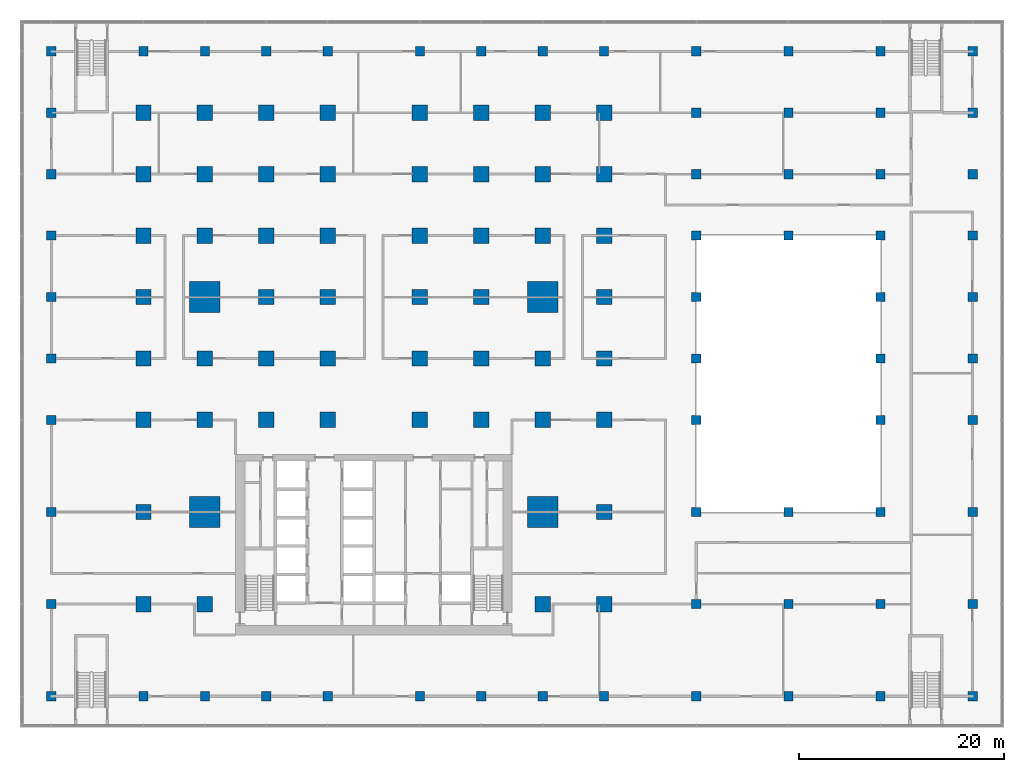
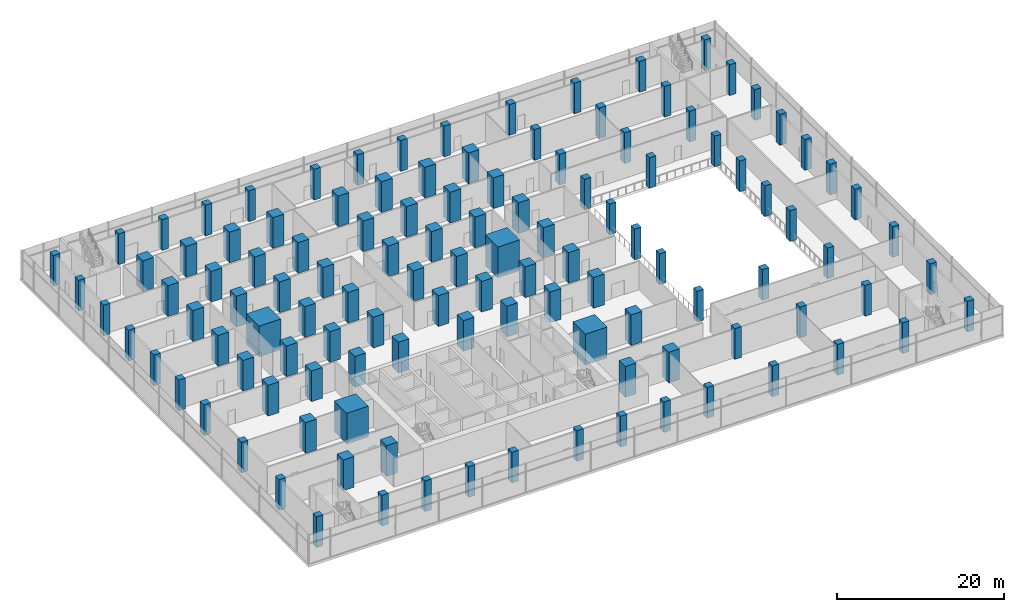
# One storey, part 1 of 22: 119 columns.
"""IFC4 building model written with IfcOpenShell, lengths in metres."""

import ifcopenshell
import ifcopenshell.guid

model = None  # the IFC model being written
_history = None  # IfcOwnerHistory: only IFC2X3 demands one
_inside = {}  # id of a spatial element -> (the spatial element, [elements in it])
_under = {}  # id of a project, library or spatial element -> (it, [spatial elements below it])
_declared = {}  # id of a project -> (the project, [libraries it declares])
_typed = {}  # id of a type object -> (the type object, [elements of that type])
_made_of = {}  # id of a material, layer set ... -> (it, [elements and type objects made of it])


def new_model(schema):
    """Start an empty IFC model of exactly this schema.

    Asked for "IFC4X3", IfcOpenShell would pick the latest addendum, in which some entities
    have other attributes; the version numbers below select the first issue.
    IFC2X3 requires an IfcOwnerHistory on every rooted entity: one is made here for all.
    """
    global model, _history
    if schema == "IFC4X3":
        model = ifcopenshell.file(schema_version=(4, 3, 0, 0))
    else:
        model = ifcopenshell.file(schema=schema)
    _inside.clear()
    _under.clear()
    _declared.clear()
    _typed.clear()
    _made_of.clear()
    _history = None
    if model.schema == "IFC2X3":
        org = make("IfcOrganization", Name="unknown")
        user = make(
            "IfcPersonAndOrganization",
            ThePerson=make("IfcPerson", FamilyName="unknown"),
            TheOrganization=org,
        )
        app = make(
            "IfcApplication",
            ApplicationDeveloper=org,
            Version="unknown",
            ApplicationFullName="unknown",
            ApplicationIdentifier="unknown",
        )
        _history = make(
            "IfcOwnerHistory",
            OwningUser=user,
            OwningApplication=app,
            ChangeAction="ADDED",
            CreationDate=0,
        )
    return model


def make(cls, **values):
    """One entity of the class cls with the attributes given. An attribute that is None is left unset."""
    return model.create_entity(
        cls, **{name: value for name, value in values.items() if value is not None}
    )


def rooted(cls, **values):
    """An entity with a GlobalId (a new one), such as an element, a storey or a relation."""
    return make(cls, GlobalId=ifcopenshell.guid.new(), OwnerHistory=_history, **values)


def si_unit(unit_type, name, prefix=None):
    """IfcSIUnit, for example si_unit("LENGTHUNIT", "METRE", prefix="MILLI")."""
    return make("IfcSIUnit", UnitType=unit_type, Prefix=prefix, Name=name)


def assignment(units):
    """IfcUnitAssignment: the units of a project."""
    return None if units is None else make("IfcUnitAssignment", Units=units)


def point(xyz):
    """IfcCartesianPoint."""
    return None if xyz is None else make("IfcCartesianPoint", Coordinates=xyz)


def direction(xyz):
    """IfcDirection."""
    return None if xyz is None else make("IfcDirection", DirectionRatios=xyz)


def frame(location, z_axis=None, x_axis=None):
    """IfcAxis2Placement3D, a coordinate frame: its origin and axes. An axis left out is left unset."""
    return make(
        "IfcAxis2Placement3D",
        Location=point(location),
        Axis=direction(z_axis),
        RefDirection=direction(x_axis),
    )


def frame_2d(location, x_axis=None):
    """IfcAxis2Placement2D, a coordinate frame in the plane: its origin and x axis."""
    return make(
        "IfcAxis2Placement2D", Location=point(location), RefDirection=direction(x_axis)
    )


def origin():
    """The frame at (0, 0, 0) with its axes left unset."""
    return frame((0.0, 0.0, 0.0))


def origin_2d():
    """The frame at (0, 0) in the plane with its x axis left unset."""
    return frame_2d((0.0, 0.0))


def place(relative_to, where):
    """IfcLocalPlacement: puts the frame where relative to a parent placement (None: the world)."""
    return make(
        "IfcLocalPlacement", PlacementRelTo=relative_to, RelativePlacement=where
    )


def context(
    kind, dimensions, precision=None, world=None, true_north=None, identifier=None
):
    """IfcGeometricRepresentationContext, for example the 3D "Model" context."""
    return make(
        "IfcGeometricRepresentationContext",
        ContextIdentifier=identifier,
        ContextType=kind,
        CoordinateSpaceDimension=dimensions,
        Precision=precision,
        WorldCoordinateSystem=world,
        TrueNorth=true_north,
    )


def subcontext(parent, identifier, kind, view, scale=None):
    """IfcGeometricRepresentationSubContext, for example "Body" below "Model"."""
    return make(
        "IfcGeometricRepresentationSubContext",
        ContextIdentifier=identifier,
        ContextType=kind,
        ParentContext=parent,
        TargetScale=scale,
        TargetView=view,
    )


def project(units=None, contexts=None):
    """IfcProject with its units and contexts."""
    return rooted(
        "IfcProject",
        Name="project",
        RepresentationContexts=contexts,
        UnitsInContext=assignment(units),
    )


def spatial(cls, under=None, at=None, **own):
    """A site, building, storey or space (cls), placed at a placement, below another one or the project."""
    s = rooted(cls, ObjectPlacement=at, **own)
    if under is not None:
        _under.setdefault(under.id(), (under, []))[1].append(s)
    return s


def profile(cls, at=None, kind="AREA", **sizes):
    """A parametric profile (cls). Its sizes go by their IFC names, for example OverallWidth=200.0."""
    return make(cls, ProfileType=kind, Position=at, **sizes)


def rectangle(**sizes):
    """IfcRectangleProfileDef."""
    return profile("IfcRectangleProfileDef", **sizes)


def extrude(swept, where, along, depth):
    """IfcExtrudedAreaSolid: the profile swept, set in the frame where, extruded along a direction by depth."""
    return make(
        "IfcExtrudedAreaSolid",
        SweptArea=swept,
        Position=where,
        ExtrudedDirection=direction(along),
        Depth=depth,
    )


def shape(context_of_items, identifier, shape_type, items):
    """IfcShapeRepresentation: the items that make up one representation, for example the "Body"."""
    return make(
        "IfcShapeRepresentation",
        ContextOfItems=context_of_items,
        RepresentationIdentifier=identifier,
        RepresentationType=shape_type,
        Items=items,
    )


def material(Name=None, Category=None):
    """IfcMaterial."""
    return make("IfcMaterial", Name=Name, Category=Category)


def material_profile(
    of_material, cross_section, Name=None, Category=None, Priority=None
):
    """IfcMaterialProfile: a cross section and its material."""
    return make(
        "IfcMaterialProfile",
        Name=Name,
        Material=of_material,
        Profile=cross_section,
        Priority=Priority,
        Category=Category,
    )


def profile_set(profiles, Name=None, composite=None):
    """IfcMaterialProfileSet."""
    return make(
        "IfcMaterialProfileSet",
        Name=Name,
        MaterialProfiles=profiles,
        CompositeProfile=composite,
    )


def made_of(thing, what):
    """Note that an element or type object is made of a material, layer set ...; save() writes the relation."""
    if what is not None:
        _made_of.setdefault(what.id(), (what, []))[1].append(thing)
    return thing


def type_object(cls, material=None, **own):
    """A type object (cls), such as IfcWallType, which elements share."""
    return made_of(rooted(cls, **own), material)


def element(
    cls,
    number,
    at=None,
    inside=None,
    cuts=None,
    type_object=None,
    material=None,
    context=None,
    identifier="Body",
    shape_type=None,
    held_by="IfcProductDefinitionShape",
    body=None,
    shapes=None,
    **own,
):
    """One element of the class cls, such as IfcWall. Its Tag is "e" and its number.

    at: its placement. inside: the storey or other place that contains it. cuts: it is an
    opening in that element (IfcRelVoidsElement). A single representation is given by context,
    identifier, shape_type and body (its items); several are given by shapes. held_by: the class
    of the entity that holds the representations. save() writes the other relations.
    """
    e = rooted(cls, Tag="e%d" % number, ObjectPlacement=at, **own)
    if body is not None:
        shapes = [shape(context, identifier, shape_type, body)]
    if shapes is not None:
        e.Representation = make(held_by, Representations=shapes)
    if inside is not None:
        _inside.setdefault(inside.id(), (inside, []))[1].append(e)
    if cuts is not None:
        rooted(
            "IfcRelVoidsElement", RelatingBuildingElement=cuts, RelatedOpeningElement=e
        )
    if type_object is not None:
        _typed.setdefault(type_object.id(), (type_object, []))[1].append(e)
    return made_of(e, material)


def aggregate(whole, parts):
    """IfcRelAggregates: a whole, such as a stair, and the parts it consists of."""
    return rooted("IfcRelAggregates", RelatingObject=whole, RelatedObjects=parts)


def save(model, path):
    """Write the relations noted so far, then the file.

    IfcRelAggregates (storeys below a building ...), IfcRelContainedInSpatialStructure (elements
    in a storey), IfcRelDefinesByType, IfcRelAssociatesMaterial and IfcRelDeclares: one each for
    every whole, place, type object, material and project.
    """
    for whole, parts in _under.values():
        aggregate(whole, parts)
    for where, things in _inside.values():
        rooted(
            "IfcRelContainedInSpatialStructure",
            RelatedElements=things,
            RelatingStructure=where,
        )
    for kind, things in _typed.values():
        rooted("IfcRelDefinesByType", RelatedObjects=things, RelatingType=kind)
    for what, things in _made_of.values():
        rooted("IfcRelAssociatesMaterial", RelatedObjects=things, RelatingMaterial=what)
    for by, libraries in _declared.values():
        rooted("IfcRelDeclares", RelatingContext=by, RelatedDefinitions=libraries)
    model.write(path)


model = new_model("IFC4")

# Units and contexts
model_context = context("Model", 3, precision=1e-05, world=origin(), true_north=direction((0.0, 1.0)))
body_context = subcontext(model_context, "Body", "Model", "MODEL_VIEW")
ifc_project = project(units=[si_unit("LENGTHUNIT", "METRE"), si_unit("AREAUNIT", "SQUARE_METRE"), si_unit("VOLUMEUNIT", "CUBIC_METRE"), si_unit("PLANEANGLEUNIT", "RADIAN"), si_unit("MASSUNIT", "GRAM", prefix="KILO")], contexts=[model_context])

# Site, building, storey
site_placement = place(None, origin())
site = spatial("IfcSite", under=ifc_project, at=site_placement, CompositionType="ELEMENT")
building_placement = place(site_placement, origin())
building = spatial("IfcBuilding", under=site, at=building_placement, Name="Finial Court Residences", CompositionType="ELEMENT")
storey_placement = place(building_placement, frame((0.0, 0.0, 23.5)))
storey = spatial("IfcBuildingStorey", under=building, at=storey_placement, Name="L04", CompositionType="ELEMENT", Elevation=23.5)

# Columns
ifc_material_1 = material(Name="Concrete C80/95", Category="concrete")
ifc_material_profile_1 = material_profile(ifc_material_1, rectangle(XDim=1.5, YDim=1.5, at=origin_2d()), Name="1500x1500")
ifc_profile_set_1 = profile_set([ifc_material_profile_1], Name="Concrete C80/95")
column_type_1 = type_object("IfcColumnType", Name="Interior column 1500x1500 Concrete C80/95", PredefinedType="COLUMN", material=ifc_profile_set_1)
for number, where, z_axis, x_axis, name in (
    (1, (-22.5, -22.5, 0.0), (0.0, 0.0, 1.0), (1.0, 0.0, 0.0), "S:COL:L04:B2"),
    (2, (-22.5, -13.5, 0.0), (0.0, 0.0, 1.0), (1.0, 0.0, 0.0), "S:COL:L04:B3"),
    (3, (-22.5, -4.5, 0.0), (0.0, 0.0, 1.0), (1.0, 0.0, 0.0), "S:COL:L04:B4"),
    (4, (-22.5, 1.5, 0.0), (0.0, 0.0, 1.0), (1.0, 0.0, 0.0), "S:COL:L04:B5"),
    (5, (-22.5, 7.5, 0.0), (0.0, 0.0, 1.0), (1.0, 0.0, 0.0), "S:COL:L04:B6"),
    (6, (-22.5, 13.5, 0.0), (0.0, 0.0, 1.0), (1.0, 0.0, 0.0), "S:COL:L04:B7"),
    (7, (-22.5, 19.5, 0.0), (0.0, 0.0, 1.0), (1.0, 0.0, 0.0), "S:COL:L04:B8"),
    (8, (-22.5, 25.5, 0.0), (0.0, 0.0, 1.0), (1.0, 0.0, 0.0), "S:COL:L04:B9"),
    (9, (-16.5, -22.5, 0.0), (0.0, 0.0, 1.0), (1.0, 0.0, 0.0), "S:COL:L04:C2"),
    (10, (-16.5, -4.5, 0.0), (0.0, 0.0, 1.0), (1.0, 0.0, 0.0), "S:COL:L04:C4"),
    (11, (-16.5, 1.5, 0.0), (0.0, 0.0, 1.0), (1.0, 0.0, 0.0), "S:COL:L04:C5"),
    (12, (-16.5, 13.5, 0.0), (0.0, 0.0, 1.0), (1.0, 0.0, 0.0), "S:COL:L04:C7"),
    (13, (-16.5, 19.5, 0.0), (0.0, 0.0, 1.0), (1.0, 0.0, 0.0), "S:COL:L04:C8"),
    (14, (-16.5, 25.5, 0.0), (0.0, 0.0, 1.0), (1.0, 0.0, 0.0), "S:COL:L04:C9"),
    (15, (-10.5, -4.5, 0.0), (0.0, 0.0, 1.0), (1.0, 0.0, 0.0), "S:COL:L04:D4"),
    (16, (-10.5, 1.5, 0.0), (0.0, 0.0, 1.0), (1.0, 0.0, 0.0), "S:COL:L04:D5"),
    (17, (-10.5, 7.5, 0.0), (0.0, 0.0, 1.0), (1.0, 0.0, 0.0), "S:COL:L04:D6"),
    (18, (-10.5, 13.5, 0.0), (0.0, 0.0, 1.0), (1.0, 0.0, 0.0), "S:COL:L04:D7"),
    (19, (-10.5, 19.5, 0.0), (0.0, 0.0, 1.0), (1.0, 0.0, 0.0), "S:COL:L04:D8"),
    (20, (-10.5, 25.5, 0.0), (0.0, 0.0, 1.0), (1.0, 0.0, 0.0), "S:COL:L04:D9"),
    (21, (-4.5, -4.5, 0.0), (0.0, 0.0, 1.0), (1.0, 0.0, 0.0), "S:COL:L04:E4"),
    (22, (-4.5, 1.5, 0.0), (0.0, 0.0, 1.0), (1.0, 0.0, 0.0), "S:COL:L04:E5"),
    (23, (-4.5, 7.5, 0.0), (0.0, 0.0, 1.0), (1.0, 0.0, 0.0), "S:COL:L04:E6"),
    (24, (-4.5, 13.5, 0.0), (0.0, 0.0, 1.0), (1.0, 0.0, 0.0), "S:COL:L04:E7"),
    (25, (-4.5, 19.5, 0.0), (0.0, 0.0, 1.0), (1.0, 0.0, 0.0), "S:COL:L04:E8"),
    (26, (-4.5, 25.5, 0.0), (0.0, 0.0, 1.0), (1.0, 0.0, 0.0), "S:COL:L04:E9"),
    (27, (4.5, -4.5, 0.0), (0.0, 0.0, 1.0), (1.0, 0.0, 0.0), "S:COL:L04:F4"),
    (28, (4.5, 1.5, 0.0), (0.0, 0.0, 1.0), (1.0, 0.0, 0.0), "S:COL:L04:F5"),
    (29, (4.5, 7.5, 0.0), (0.0, 0.0, 1.0), (1.0, 0.0, 0.0), "S:COL:L04:F6"),
    (30, (4.5, 13.5, 0.0), (0.0, 0.0, 1.0), (1.0, 0.0, 0.0), "S:COL:L04:F7"),
    (31, (4.5, 19.5, 0.0), (0.0, 0.0, 1.0), (1.0, 0.0, 0.0), "S:COL:L04:F8"),
    (32, (4.5, 25.5, 0.0), (0.0, 0.0, 1.0), (1.0, 0.0, 0.0), "S:COL:L04:F9"),
    (33, (10.5, -4.5, 0.0), (0.0, 0.0, 1.0), (1.0, 0.0, 0.0), "S:COL:L04:G4"),
    (34, (10.5, 1.5, 0.0), (0.0, 0.0, 1.0), (1.0, 0.0, 0.0), "S:COL:L04:G5"),
    (35, (10.5, 7.5, 0.0), (0.0, 0.0, 1.0), (1.0, 0.0, 0.0), "S:COL:L04:G6"),
    (36, (10.5, 13.5, 0.0), (0.0, 0.0, 1.0), (1.0, 0.0, 0.0), "S:COL:L04:G7"),
    (37, (10.5, 19.5, 0.0), (0.0, 0.0, 1.0), (1.0, 0.0, 0.0), "S:COL:L04:G8"),
    (38, (10.5, 25.5, 0.0), (0.0, 0.0, 1.0), (1.0, 0.0, 0.0), "S:COL:L04:G9"),
    (39, (16.5, -22.5, 0.0), (0.0, 0.0, 1.0), (1.0, 0.0, 0.0), "S:COL:L04:H2"),
    (40, (16.5, -4.5, 0.0), (0.0, 0.0, 1.0), (1.0, 0.0, 0.0), "S:COL:L04:H4"),
    (41, (16.5, 1.5, 0.0), (0.0, 0.0, 1.0), (1.0, 0.0, 0.0), "S:COL:L04:H5"),
    (42, (16.5, 13.5, 0.0), (0.0, 0.0, 1.0), (1.0, 0.0, 0.0), "S:COL:L04:H7"),
    (43, (16.5, 19.5, 0.0), (0.0, 0.0, 1.0), (1.0, 0.0, 0.0), "S:COL:L04:H8"),
    (44, (16.5, 25.5, 0.0), (0.0, 0.0, 1.0), (1.0, 0.0, 0.0), "S:COL:L04:H9"),
    (45, (22.5, -22.5, 0.0), (0.0, 0.0, 1.0), (1.0, 0.0, 0.0), "S:COL:L04:I2"),
    (46, (22.5, -13.5, 0.0), (0.0, 0.0, 1.0), (1.0, 0.0, 0.0), "S:COL:L04:I3"),
    (47, (22.5, -4.5, 0.0), (0.0, 0.0, 1.0), (1.0, 0.0, 0.0), "S:COL:L04:I4"),
    (48, (22.5, 1.5, 0.0), (0.0, 0.0, 1.0), (1.0, 0.0, 0.0), "S:COL:L04:I5"),
    (49, (22.5, 7.5, 0.0), (0.0, 0.0, 1.0), (1.0, 0.0, 0.0), "S:COL:L04:I6"),
    (50, (22.5, 13.5, 0.0), (0.0, 0.0, 1.0), (1.0, 0.0, 0.0), "S:COL:L04:I7"),
    (51, (22.5, 19.5, 0.0), (0.0, 0.0, 1.0), (1.0, 0.0, 0.0), "S:COL:L04:I8"),
    (52, (22.5, 25.5, 0.0), (0.0, 0.0, 1.0), (1.0, 0.0, 0.0), "S:COL:L04:I9"),
):
    element("IfcColumn", number, at=place(storey_placement, frame(where, z_axis=z_axis, x_axis=x_axis)), inside=storey, type_object=column_type_1, Name=name, PredefinedType="COLUMN", context=body_context, shape_type="SweptSolid", body=[
        extrude(rectangle(XDim=1.5, YDim=1.5, at=origin_2d()), origin(), (0.0, 0.0, 1.0), 4.5),
    ])
ifc_material_profile_2 = material_profile(ifc_material_1, rectangle(XDim=3.0, YDim=3.0, at=origin_2d()), Name="3000x3000")
ifc_profile_set_2 = profile_set([ifc_material_profile_2], Name="Concrete C80/95")
column_type_2 = type_object("IfcColumnType", Name="Mega column 3000x3000 Concrete C80/95", PredefinedType="COLUMN", material=ifc_profile_set_2)
for number, where, z_axis, x_axis, name in (
    (53, (-16.5, -13.5, 0.0), (0.0, 0.0, 1.0), (1.0, 0.0, 0.0), "S:COL:L04:C3"),
    (54, (-16.5, 7.5, 0.0), (0.0, 0.0, 1.0), (1.0, 0.0, 0.0), "S:COL:L04:C6"),
    (55, (16.5, -13.5, 0.0), (0.0, 0.0, 1.0), (1.0, 0.0, 0.0), "S:COL:L04:H3"),
    (56, (16.5, 7.5, 0.0), (0.0, 0.0, 1.0), (1.0, 0.0, 0.0), "S:COL:L04:H6"),
):
    element("IfcColumn", number, at=place(storey_placement, frame(where, z_axis=z_axis, x_axis=x_axis)), inside=storey, type_object=column_type_2, Name=name, PredefinedType="COLUMN", context=body_context, shape_type="SweptSolid", body=[
        extrude(rectangle(XDim=3.0, YDim=3.0, at=origin_2d()), origin(), (0.0, 0.0, 1.0), 4.5),
    ])
ifc_material_2 = material(Name="Concrete C50/60", Category="concrete")
ifc_material_profile_3 = material_profile(ifc_material_2, rectangle(XDim=0.89990234375, YDim=0.89990234375, at=origin_2d()), Name="900x900")
ifc_profile_set_3 = profile_set([ifc_material_profile_3], Name="Concrete C50/60")
column_type_3 = type_object("IfcColumnType", Name="Podium column 900x900 Concrete C50/60", PredefinedType="COLUMN", material=ifc_profile_set_3)
for number, where, z_axis, x_axis, name in (
    (57, (-31.5, -31.5, 0.0), (0.0, 0.0, 1.0), (1.0, 0.0, 0.0), "S:COL:L04:A1"),
    (58, (-31.5, -22.5, 0.0), (0.0, 0.0, 1.0), (1.0, 0.0, 0.0), "S:COL:L04:A2"),
    (59, (-31.5, -13.5, 0.0), (0.0, 0.0, 1.0), (1.0, 0.0, 0.0), "S:COL:L04:A3"),
    (60, (-31.5, -4.5, 0.0), (0.0, 0.0, 1.0), (1.0, 0.0, 0.0), "S:COL:L04:A4"),
    (61, (-31.5, 1.5, 0.0), (0.0, 0.0, 1.0), (1.0, 0.0, 0.0), "S:COL:L04:A5"),
    (62, (-31.5, 7.5, 0.0), (0.0, 0.0, 1.0), (1.0, 0.0, 0.0), "S:COL:L04:A6"),
    (63, (-31.5, 13.5, 0.0), (0.0, 0.0, 1.0), (1.0, 0.0, 0.0), "S:COL:L04:A7"),
    (64, (-31.5, 19.5, 0.0), (0.0, 0.0, 1.0), (1.0, 0.0, 0.0), "S:COL:L04:A8"),
    (65, (-31.5, 25.5, 0.0), (0.0, 0.0, 1.0), (1.0, 0.0, 0.0), "S:COL:L04:A9"),
    (66, (-31.5, 31.5, 0.0), (0.0, 0.0, 1.0), (1.0, 0.0, 0.0), "S:COL:L04:A10"),
    (67, (-22.5, -31.5, 0.0), (0.0, 0.0, 1.0), (1.0, 0.0, 0.0), "S:COL:L04:B1"),
    (68, (-22.5, 31.5, 0.0), (0.0, 0.0, 1.0), (1.0, 0.0, 0.0), "S:COL:L04:B10"),
    (69, (-16.5, -31.5, 0.0), (0.0, 0.0, 1.0), (1.0, 0.0, 0.0), "S:COL:L04:C1"),
    (70, (-16.5, 31.5, 0.0), (0.0, 0.0, 1.0), (1.0, 0.0, 0.0), "S:COL:L04:C10"),
    (71, (-10.5, -31.5, 0.0), (0.0, 0.0, 1.0), (1.0, 0.0, 0.0), "S:COL:L04:D1"),
    (72, (-10.5, 31.5, 0.0), (0.0, 0.0, 1.0), (1.0, 0.0, 0.0), "S:COL:L04:D10"),
    (73, (-4.5, -31.5, 0.0), (0.0, 0.0, 1.0), (1.0, 0.0, 0.0), "S:COL:L04:E1"),
    (74, (-4.5, 31.5, 0.0), (0.0, 0.0, 1.0), (1.0, 0.0, 0.0), "S:COL:L04:E10"),
    (75, (4.5, -31.5, 0.0), (0.0, 0.0, 1.0), (1.0, 0.0, 0.0), "S:COL:L04:F1"),
    (76, (4.5, 31.5, 0.0), (0.0, 0.0, 1.0), (1.0, 0.0, 0.0), "S:COL:L04:F10"),
    (77, (10.5, -31.5, 0.0), (0.0, 0.0, 1.0), (1.0, 0.0, 0.0), "S:COL:L04:G1"),
    (78, (10.5, 31.5, 0.0), (0.0, 0.0, 1.0), (1.0, 0.0, 0.0), "S:COL:L04:G10"),
    (79, (16.5, -31.5, 0.0), (0.0, 0.0, 1.0), (1.0, 0.0, 0.0), "S:COL:L04:H1"),
    (80, (16.5, 31.5, 0.0), (0.0, 0.0, 1.0), (1.0, 0.0, 0.0), "S:COL:L04:H10"),
    (81, (22.5, -31.5, 0.0), (0.0, 0.0, 1.0), (1.0, 0.0, 0.0), "S:COL:L04:I1"),
    (82, (22.5, 31.5, 0.0), (0.0, 0.0, 1.0), (1.0, 0.0, 0.0), "S:COL:L04:I10"),
    (83, (31.5, -31.5, 0.0), (0.0, 0.0, 1.0), (1.0, 0.0, 0.0), "S:COL:L04:J1"),
    (84, (31.5, -22.5, 0.0), (0.0, 0.0, 1.0), (1.0, 0.0, 0.0), "S:COL:L04:J2"),
    (85, (31.5, -13.5, 0.0), (0.0, 0.0, 1.0), (1.0, 0.0, 0.0), "S:COL:L04:J3"),
    (86, (31.5, -4.5, 0.0), (0.0, 0.0, 1.0), (1.0, 0.0, 0.0), "S:COL:L04:J4"),
    (87, (31.5, 1.5, 0.0), (0.0, 0.0, 1.0), (1.0, 0.0, 0.0), "S:COL:L04:J5"),
    (88, (31.5, 7.5, 0.0), (0.0, 0.0, 1.0), (1.0, 0.0, 0.0), "S:COL:L04:J6"),
    (89, (31.5, 13.5, 0.0), (0.0, 0.0, 1.0), (1.0, 0.0, 0.0), "S:COL:L04:J7"),
    (90, (31.5, 19.5, 0.0), (0.0, 0.0, 1.0), (1.0, 0.0, 0.0), "S:COL:L04:J8"),
    (91, (31.5, 25.5, 0.0), (0.0, 0.0, 1.0), (1.0, 0.0, 0.0), "S:COL:L04:J9"),
    (92, (31.5, 31.5, 0.0), (0.0, 0.0, 1.0), (1.0, 0.0, 0.0), "S:COL:L04:J10"),
    (93, (40.5, -31.5, 0.0), (0.0, 0.0, 1.0), (1.0, 0.0, 0.0), "S:COL:L04:K1"),
    (94, (40.5, -22.5, 0.0), (0.0, 0.0, 1.0), (1.0, 0.0, 0.0), "S:COL:L04:K2"),
    (95, (40.5, -13.5, 0.0), (0.0, 0.0, 1.0), (1.0, 0.0, 0.0), "S:COL:L04:K3"),
    (96, (40.5, 13.5, 0.0), (0.0, 0.0, 1.0), (1.0, 0.0, 0.0), "S:COL:L04:K7"),
    (97, (40.5, 19.5, 0.0), (0.0, 0.0, 1.0), (1.0, 0.0, 0.0), "S:COL:L04:K8"),
    (98, (40.5, 25.5, 0.0), (0.0, 0.0, 1.0), (1.0, 0.0, 0.0), "S:COL:L04:K9"),
    (99, (40.5, 31.5, 0.0), (0.0, 0.0, 1.0), (1.0, 0.0, 0.0), "S:COL:L04:K10"),
    (100, (49.5, -31.5, 0.0), (0.0, 0.0, 1.0), (1.0, 0.0, 0.0), "S:COL:L04:L1"),
    (101, (49.5, -22.5, 0.0), (0.0, 0.0, 1.0), (1.0, 0.0, 0.0), "S:COL:L04:L2"),
    (102, (49.5, -13.5, 0.0), (0.0, 0.0, 1.0), (1.0, 0.0, 0.0), "S:COL:L04:L3"),
    (103, (49.5, -4.5, 0.0), (0.0, 0.0, 1.0), (1.0, 0.0, 0.0), "S:COL:L04:L4"),
    (104, (49.5, 1.5, 0.0), (0.0, 0.0, 1.0), (1.0, 0.0, 0.0), "S:COL:L04:L5"),
    (105, (49.5, 7.5, 0.0), (0.0, 0.0, 1.0), (1.0, 0.0, 0.0), "S:COL:L04:L6"),
    (106, (49.5, 13.5, 0.0), (0.0, 0.0, 1.0), (1.0, 0.0, 0.0), "S:COL:L04:L7"),
    (107, (49.5, 19.5, 0.0), (0.0, 0.0, 1.0), (1.0, 0.0, 0.0), "S:COL:L04:L8"),
    (108, (49.5, 25.5, 0.0), (0.0, 0.0, 1.0), (1.0, 0.0, 0.0), "S:COL:L04:L9"),
    (109, (49.5, 31.5, 0.0), (0.0, 0.0, 1.0), (1.0, 0.0, 0.0), "S:COL:L04:L10"),
    (110, (58.5, -31.5, 0.0), (0.0, 0.0, 1.0), (1.0, 0.0, 0.0), "S:COL:L04:M1"),
    (111, (58.5, -22.5, 0.0), (0.0, 0.0, 1.0), (1.0, 0.0, 0.0), "S:COL:L04:M2"),
    (112, (58.5, -13.5, 0.0), (0.0, 0.0, 1.0), (1.0, 0.0, 0.0), "S:COL:L04:M3"),
    (113, (58.5, -4.5, 0.0), (0.0, 0.0, 1.0), (1.0, 0.0, 0.0), "S:COL:L04:M4"),
    (114, (58.5, 1.5, 0.0), (0.0, 0.0, 1.0), (1.0, 0.0, 0.0), "S:COL:L04:M5"),
    (115, (58.5, 7.5, 0.0), (0.0, 0.0, 1.0), (1.0, 0.0, 0.0), "S:COL:L04:M6"),
    (116, (58.5, 13.5, 0.0), (0.0, 0.0, 1.0), (1.0, 0.0, 0.0), "S:COL:L04:M7"),
    (117, (58.5, 19.5, 0.0), (0.0, 0.0, 1.0), (1.0, 0.0, 0.0), "S:COL:L04:M8"),
    (118, (58.5, 25.5, 0.0), (0.0, 0.0, 1.0), (1.0, 0.0, 0.0), "S:COL:L04:M9"),
    (119, (58.5, 31.5, 0.0), (0.0, 0.0, 1.0), (1.0, 0.0, 0.0), "S:COL:L04:M10"),
):
    element("IfcColumn", number, at=place(storey_placement, frame(where, z_axis=z_axis, x_axis=x_axis)), inside=storey, type_object=column_type_3, Name=name, PredefinedType="COLUMN", context=body_context, shape_type="SweptSolid", body=[
        extrude(rectangle(XDim=0.89990234375, YDim=0.89990234375, at=origin_2d()), origin(), (0.0, 0.0, 1.0), 4.5),
    ])

save(model, "model.ifc")
